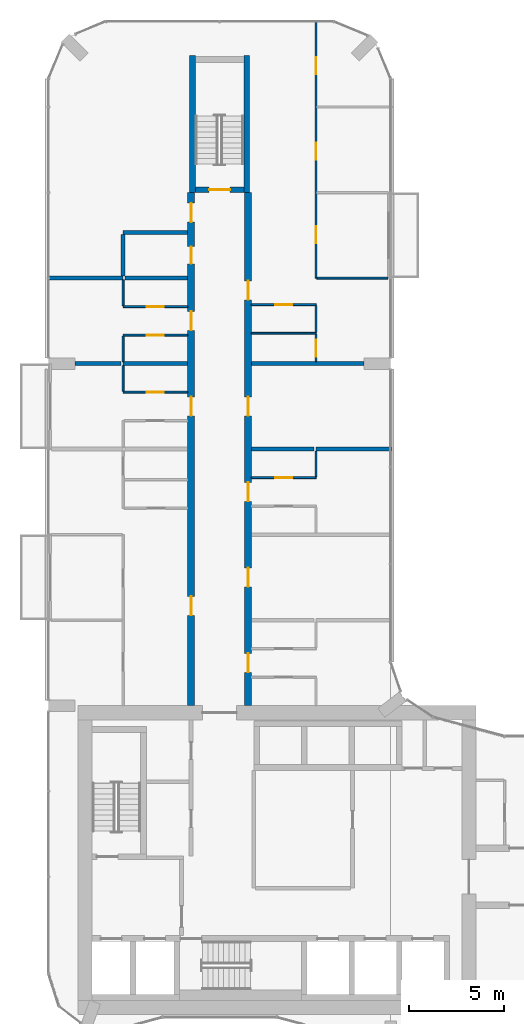
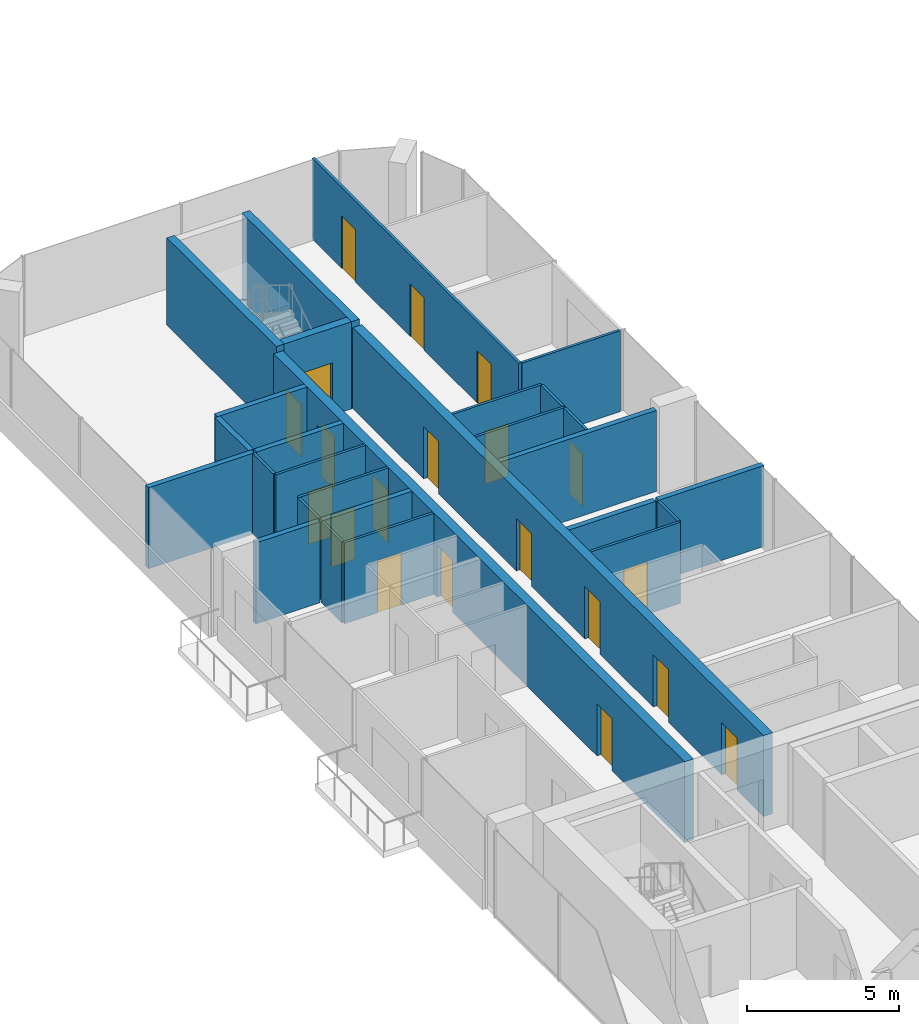
# One storey, part 17 of 24: 28 walls, 20 doors, 20 openings.
"""IFC4 building model written with IfcOpenShell, lengths in metres."""

from ifc_helpers import new_model, si_unit, direction, frame, frame_2d, origin, place, context, subcontext, project, spatial, rectangle, extrude, material, layer, layer_set, type_object, element, fill, save


model = new_model("IFC4")

# Units and contexts
model_context = context("Model", 3, precision=1e-05, world=origin(), true_north=direction((0.0, 1.0)))
body_context = subcontext(model_context, "Body", "Model", "MODEL_VIEW")
ifc_project = project(units=[si_unit("LENGTHUNIT", "METRE"), si_unit("AREAUNIT", "SQUARE_METRE"), si_unit("VOLUMEUNIT", "CUBIC_METRE"), si_unit("PLANEANGLEUNIT", "RADIAN"), si_unit("MASSUNIT", "GRAM", prefix="KILO")], contexts=[model_context])

# Site, building, storey
site_placement = place(None, origin())
site = spatial("IfcSite", under=ifc_project, at=site_placement, CompositionType="ELEMENT")
building_placement = place(site_placement, origin())
building = spatial("IfcBuilding", under=site, at=building_placement, Name="Plateau Cross Towers", CompositionType="ELEMENT")
storey_placement = place(building_placement, frame((0.0, 0.0, 51.300048828125)))
storey = spatial("IfcBuildingStorey", under=building, at=storey_placement, Name="L12", CompositionType="ELEMENT", Elevation=51.300048828125)

# Wall, openings, doors
ifc_material_1 = material(Name="Concrete C60/75", Category="concrete")
ifc_layer_1 = layer(ifc_material_1, 0.35009765625)
ifc_layer_set_1 = layer_set([ifc_layer_1], Name="Concrete C60/75")
wall_type_1 = type_object("IfcWallType", Name="Corridor wall 350", PredefinedType="SHEAR", material=ifc_layer_set_1)
wall_1_placement = place(storey_placement, frame((7.5, 18.0, 0.0), z_axis=(0.0, 0.0, 1.0), x_axis=(0.0, 1.0, 0.0)))
wall_1 = element("IfcWall", 1, at=wall_1_placement, inside=storey, type_object=wall_type_1, Name="A-cw-W1@L12", PredefinedType="SHEAR", context=body_context, shape_type="SweptSolid", body=[
    extrude(rectangle(XDim=27.0, YDim=0.35009765625, at=frame_2d((13.5, 0.0))), origin(), (0.0, 0.0, 1.0), 3.25),
])
opening_1_placement = place(wall_1_placement, frame((4.75, 0.0, 0.0)))
opening_1 = element("IfcOpeningElement", 2, at=opening_1_placement, cuts=wall_1, Name="Opening 12-09", PredefinedType="OPENING", context=body_context, shape_type="SweptSolid", body=[
    extrude(rectangle(XDim=1.0, YDim=2.10009765625, at=frame_2d((0.5, 1.050048828125))), frame((0.0, 0.18505859375, 0.0), z_axis=(0.0, -1.0, 0.0), x_axis=(1.0, 0.0, 0.0)), (0.0, 0.0, 1.0), 0.3701171875),
])
opening_2_placement = place(wall_1_placement, frame((15.25, 0.0, 0.0)))
opening_2 = element("IfcOpeningElement", 3, at=opening_2_placement, cuts=wall_1, Name="Opening 12-10", PredefinedType="OPENING", context=body_context, shape_type="SweptSolid", body=[
    extrude(rectangle(XDim=1.0, YDim=2.10009765625, at=frame_2d((0.5, 1.050048828125))), frame((0.0, 0.18505859375, 0.0), z_axis=(0.0, -1.0, 0.0), x_axis=(1.0, 0.0, 0.0)), (0.0, 0.0, 1.0), 0.3701171875),
])
opening_3_placement = place(wall_1_placement, frame((19.75, 0.0, 0.0)))
opening_3 = element("IfcOpeningElement", 4, at=opening_3_placement, cuts=wall_1, Name="Opening 12-11", PredefinedType="OPENING", context=body_context, shape_type="SweptSolid", body=[
    extrude(rectangle(XDim=1.0, YDim=2.10009765625, at=frame_2d((0.5, 1.050048828125))), frame((0.0, 0.18505859375, 0.0), z_axis=(0.0, -1.0, 0.0), x_axis=(1.0, 0.0, 0.0)), (0.0, 0.0, 1.0), 0.3701171875),
])
opening_4_placement = place(wall_1_placement, frame((23.25, 0.0, 0.0)))
opening_4 = element("IfcOpeningElement", 5, at=opening_4_placement, cuts=wall_1, Name="Opening 12-12", PredefinedType="OPENING", context=body_context, shape_type="SweptSolid", body=[
    extrude(rectangle(XDim=0.89990234375, YDim=2.10009765625, at=frame_2d((0.449951171875, 1.050048828125))), frame((0.0, 0.18505859375, 0.0), z_axis=(0.0, -1.0, 0.0), x_axis=(1.0, 0.0, 0.0)), (0.0, 0.0, 1.0), 0.3701171875),
])
opening_5_placement = place(wall_1_placement, frame((25.449951171875, 0.0, 0.0)))
opening_5 = element("IfcOpeningElement", 6, at=opening_5_placement, cuts=wall_1, Name="Opening 12-13", PredefinedType="OPENING", context=body_context, shape_type="SweptSolid", body=[
    extrude(rectangle(XDim=1.0, YDim=2.10009765625, at=frame_2d((0.5, 1.050048828125))), frame((0.0, 0.18505859375, 0.0), z_axis=(0.0, -1.0, 0.0), x_axis=(1.0, 0.0, 0.0)), (0.0, 0.0, 1.0), 0.3701171875),
])
ifc_material_2 = material(Name="Timber, fire-resisting leaf", Category="wood")
door_type_1 = type_object("IfcDoorType", Name="Flat entrance door 1000", OperationType="NOTDEFINED", PredefinedType="DOOR", material=ifc_material_2)
door_1_placement = place(opening_1_placement, origin())
door_1 = element("IfcDoor", 7, at=door_1_placement, inside=storey, type_object=door_type_1, Name="Door 12-09", OperationType="SINGLE_SWING_LEFT", OverallHeight=2.10009765625, OverallWidth=1.0, PredefinedType="DOOR", context=body_context, shape_type="SweptSolid", body=[
    extrude(rectangle(XDim=1.0, YDim=2.10009765625, at=frame_2d((0.5, 1.050048828125))), frame((0.0, 0.02490234375, 0.0), z_axis=(0.0, -1.0, 0.0), x_axis=(1.0, 0.0, 0.0)), (0.0, 0.0, 1.0), 0.050048828125),
])
fill(opening_1, door_1)
door_2_placement = place(opening_2_placement, origin())
door_2 = element("IfcDoor", 8, at=door_2_placement, inside=storey, type_object=door_type_1, Name="Door 12-10", OperationType="SINGLE_SWING_RIGHT", OverallHeight=2.10009765625, OverallWidth=1.0, PredefinedType="DOOR", context=body_context, shape_type="SweptSolid", body=[
    extrude(rectangle(XDim=1.0, YDim=2.10009765625, at=frame_2d((0.5, 1.050048828125))), frame((0.0, 0.02490234375, 0.0), z_axis=(0.0, -1.0, 0.0), x_axis=(1.0, 0.0, 0.0)), (0.0, 0.0, 1.0), 0.050048828125),
])
fill(opening_2, door_2)
door_3_placement = place(opening_3_placement, origin())
door_3 = element("IfcDoor", 9, at=door_3_placement, inside=storey, type_object=door_type_1, Name="Door 12-11", OperationType="SINGLE_SWING_RIGHT", OverallHeight=2.10009765625, OverallWidth=1.0, PredefinedType="DOOR", context=body_context, shape_type="SweptSolid", body=[
    extrude(rectangle(XDim=1.0, YDim=2.10009765625, at=frame_2d((0.5, 1.050048828125))), frame((0.0, 0.02490234375, 0.0), z_axis=(0.0, -1.0, 0.0), x_axis=(1.0, 0.0, 0.0)), (0.0, 0.0, 1.0), 0.050048828125),
])
fill(opening_3, door_3)
door_4_placement = place(opening_5_placement, origin())
door_4 = element("IfcDoor", 10, at=door_4_placement, inside=storey, type_object=door_type_1, Name="Door 12-13", OperationType="SINGLE_SWING_RIGHT", OverallHeight=2.10009765625, OverallWidth=1.0, PredefinedType="DOOR", context=body_context, shape_type="SweptSolid", body=[
    extrude(rectangle(XDim=1.0, YDim=2.10009765625, at=frame_2d((0.5, 1.050048828125))), frame((0.0, 0.02490234375, 0.0), z_axis=(0.0, -1.0, 0.0), x_axis=(1.0, 0.0, 0.0)), (0.0, 0.0, 1.0), 0.050048828125),
])
fill(opening_5, door_4)
door_type_2 = type_object("IfcDoorType", Name="Flat floor service door 900", OperationType="NOTDEFINED", PredefinedType="DOOR", material=ifc_material_2)
door_5_placement = place(opening_4_placement, origin())
door_5 = element("IfcDoor", 11, at=door_5_placement, inside=storey, type_object=door_type_2, Name="Door 12-12", OperationType="SINGLE_SWING_RIGHT", OverallHeight=2.10009765625, OverallWidth=0.89990234375, PredefinedType="DOOR", context=body_context, shape_type="SweptSolid", body=[
    extrude(rectangle(XDim=0.89990234375, YDim=2.10009765625, at=frame_2d((0.449951171875, 1.050048828125))), frame((0.0, 0.02490234375, 0.0), z_axis=(0.0, -1.0, 0.0), x_axis=(1.0, 0.0, 0.0)), (0.0, 0.0, 1.0), 0.050048828125),
])
fill(opening_4, door_5)

wall_2_placement = place(storey_placement, frame((10.5, 18.0, 0.0), z_axis=(0.0, 0.0, 1.0), x_axis=(0.0, 1.0, 0.0)))
wall_2 = element("IfcWall", 12, at=wall_2_placement, inside=storey, type_object=wall_type_1, Name="A-cw-W2@L12", PredefinedType="SHEAR", context=body_context, shape_type="SweptSolid", body=[
    extrude(rectangle(XDim=27.0, YDim=0.35009765625, at=frame_2d((13.5, 0.0))), origin(), (0.0, 0.0, 1.0), 3.25),
])
opening_6_placement = place(wall_2_placement, frame((1.75, 0.0, 0.0)))
opening_6 = element("IfcOpeningElement", 13, at=opening_6_placement, cuts=wall_2, Name="Opening 12-14", PredefinedType="OPENING", context=body_context, shape_type="SweptSolid", body=[
    extrude(rectangle(XDim=1.0, YDim=2.10009765625, at=frame_2d((0.5, 1.050048828125))), frame((0.0, 0.18505859375, 0.0), z_axis=(0.0, -1.0, 0.0), x_axis=(1.0, 0.0, 0.0)), (0.0, 0.0, 1.0), 0.3701171875),
])
opening_7_placement = place(wall_2_placement, frame((6.25, 0.0, 0.0)))
opening_7 = element("IfcOpeningElement", 14, at=opening_7_placement, cuts=wall_2, Name="Opening 12-15", PredefinedType="OPENING", context=body_context, shape_type="SweptSolid", body=[
    extrude(rectangle(XDim=1.0, YDim=2.10009765625, at=frame_2d((0.5, 1.050048828125))), frame((0.0, 0.18505859375, 0.0), z_axis=(0.0, -1.0, 0.0), x_axis=(1.0, 0.0, 0.0)), (0.0, 0.0, 1.0), 0.3701171875),
])
opening_8_placement = place(wall_2_placement, frame((10.75, 0.0, 0.0)))
opening_8 = element("IfcOpeningElement", 15, at=opening_8_placement, cuts=wall_2, Name="Opening 12-16", PredefinedType="OPENING", context=body_context, shape_type="SweptSolid", body=[
    extrude(rectangle(XDim=1.0, YDim=2.10009765625, at=frame_2d((0.5, 1.050048828125))), frame((0.0, 0.18505859375, 0.0), z_axis=(0.0, -1.0, 0.0), x_axis=(1.0, 0.0, 0.0)), (0.0, 0.0, 1.0), 0.3701171875),
])
opening_9_placement = place(wall_2_placement, frame((15.25, 0.0, 0.0)))
opening_9 = element("IfcOpeningElement", 16, at=opening_9_placement, cuts=wall_2, Name="Opening 12-17", PredefinedType="OPENING", context=body_context, shape_type="SweptSolid", body=[
    extrude(rectangle(XDim=1.0, YDim=2.10009765625, at=frame_2d((0.5, 1.050048828125))), frame((0.0, 0.18505859375, 0.0), z_axis=(0.0, -1.0, 0.0), x_axis=(1.0, 0.0, 0.0)), (0.0, 0.0, 1.0), 0.3701171875),
])
opening_10_placement = place(wall_2_placement, frame((21.35009765625, 0.0, 0.0)))
opening_10 = element("IfcOpeningElement", 17, at=opening_10_placement, cuts=wall_2, Name="Opening 12-18", PredefinedType="OPENING", context=body_context, shape_type="SweptSolid", body=[
    extrude(rectangle(XDim=1.0, YDim=2.10009765625, at=frame_2d((0.5, 1.050048828125))), frame((0.0, 0.18505859375, 0.0), z_axis=(0.0, -1.0, 0.0), x_axis=(1.0, 0.0, 0.0)), (0.0, 0.0, 1.0), 0.3701171875),
])
door_6_placement = place(opening_6_placement, origin())
door_6 = element("IfcDoor", 18, at=door_6_placement, inside=storey, type_object=door_type_1, Name="Door 12-14", OperationType="SINGLE_SWING_LEFT", OverallHeight=2.10009765625, OverallWidth=1.0, PredefinedType="DOOR", context=body_context, shape_type="SweptSolid", body=[
    extrude(rectangle(XDim=1.0, YDim=2.10009765625, at=frame_2d((0.5, 1.050048828125))), frame((0.0, 0.02490234375, 0.0), z_axis=(0.0, -1.0, 0.0), x_axis=(1.0, 0.0, 0.0)), (0.0, 0.0, 1.0), 0.050048828125),
])
fill(opening_6, door_6)
door_7_placement = place(opening_7_placement, origin())
door_7 = element("IfcDoor", 19, at=door_7_placement, inside=storey, type_object=door_type_1, Name="Door 12-15", OperationType="SINGLE_SWING_LEFT", OverallHeight=2.10009765625, OverallWidth=1.0, PredefinedType="DOOR", context=body_context, shape_type="SweptSolid", body=[
    extrude(rectangle(XDim=1.0, YDim=2.10009765625, at=frame_2d((0.5, 1.050048828125))), frame((0.0, 0.02490234375, 0.0), z_axis=(0.0, -1.0, 0.0), x_axis=(1.0, 0.0, 0.0)), (0.0, 0.0, 1.0), 0.050048828125),
])
fill(opening_7, door_7)
door_8_placement = place(opening_8_placement, origin())
door_8 = element("IfcDoor", 20, at=door_8_placement, inside=storey, type_object=door_type_1, Name="Door 12-16", OperationType="SINGLE_SWING_LEFT", OverallHeight=2.10009765625, OverallWidth=1.0, PredefinedType="DOOR", context=body_context, shape_type="SweptSolid", body=[
    extrude(rectangle(XDim=1.0, YDim=2.10009765625, at=frame_2d((0.5, 1.050048828125))), frame((0.0, 0.02490234375, 0.0), z_axis=(0.0, -1.0, 0.0), x_axis=(1.0, 0.0, 0.0)), (0.0, 0.0, 1.0), 0.050048828125),
])
fill(opening_8, door_8)
door_9_placement = place(opening_9_placement, origin())
door_9 = element("IfcDoor", 21, at=door_9_placement, inside=storey, type_object=door_type_1, Name="Door 12-17", OperationType="SINGLE_SWING_RIGHT", OverallHeight=2.10009765625, OverallWidth=1.0, PredefinedType="DOOR", context=body_context, shape_type="SweptSolid", body=[
    extrude(rectangle(XDim=1.0, YDim=2.10009765625, at=frame_2d((0.5, 1.050048828125))), frame((0.0, 0.02490234375, 0.0), z_axis=(0.0, -1.0, 0.0), x_axis=(1.0, 0.0, 0.0)), (0.0, 0.0, 1.0), 0.050048828125),
])
fill(opening_9, door_9)
door_10_placement = place(opening_10_placement, origin())
door_10 = element("IfcDoor", 22, at=door_10_placement, inside=storey, type_object=door_type_1, Name="Door 12-18", OperationType="SINGLE_SWING_RIGHT", OverallHeight=2.10009765625, OverallWidth=1.0, PredefinedType="DOOR", context=body_context, shape_type="SweptSolid", body=[
    extrude(rectangle(XDim=1.0, YDim=2.10009765625, at=frame_2d((0.5, 1.050048828125))), frame((0.0, 0.02490234375, 0.0), z_axis=(0.0, -1.0, 0.0), x_axis=(1.0, 0.0, 0.0)), (0.0, 0.0, 1.0), 0.050048828125),
])
fill(opening_10, door_10)

# Wall, opening, door
ifc_material_3 = material(Name="Gypsum board on steel studs", Category="steel")
ifc_layer_2 = layer(ifc_material_3, 0.10009765625)
ifc_layer_set_2 = layer_set([ifc_layer_2], Name="Gypsum board on steel studs")
wall_type_2 = type_object("IfcWallType", Name="Flat partition 100", PredefinedType="PARTITIONING", material=ifc_layer_set_2)
wall_3_placement = place(storey_placement, frame((10.675048828125, 30.0, 0.0), z_axis=(0.0, 0.0, 1.0), x_axis=(1.0, 0.0, 0.0)))
wall_3 = element("IfcWall", 23, at=wall_3_placement, inside=storey, type_object=wall_type_2, Name="Partition wall", PredefinedType="PARTITIONING", context=body_context, shape_type="SweptSolid", body=[
    extrude(rectangle(XDim=3.39990234375, YDim=0.10009765625, at=frame_2d((1.699951171875, 0.0))), origin(), (0.0, 0.0, 1.0), 3.25),
])
opening_11_placement = place(wall_3_placement, frame((1.25, 0.0, 0.0)))
opening_11 = element("IfcOpeningElement", 24, at=opening_11_placement, cuts=wall_3, Name="Opening 12-43", PredefinedType="OPENING", context=body_context, shape_type="SweptSolid", body=[
    extrude(rectangle(XDim=0.89990234375, YDim=2.10009765625, at=frame_2d((0.449951171875, 1.050048828125))), frame((0.0, 0.06005859375, 0.0), z_axis=(0.0, -1.0, 0.0), x_axis=(1.0, 0.0, 0.0)), (0.0, 0.0, 1.0), 0.1201171875),
])
ifc_material_4 = material(Name="Timber leaf", Category="wood")
door_type_3 = type_object("IfcDoorType", Name="Flat room door 900", OperationType="NOTDEFINED", PredefinedType="DOOR", material=ifc_material_4)
door_11_placement = place(opening_11_placement, origin())
door_11 = element("IfcDoor", 25, at=door_11_placement, inside=storey, type_object=door_type_3, Name="Door 12-43", OperationType="SINGLE_SWING_RIGHT", OverallHeight=2.10009765625, OverallWidth=0.89990234375, PredefinedType="DOOR", context=body_context, shape_type="SweptSolid", body=[
    extrude(rectangle(XDim=0.89990234375, YDim=2.10009765625, at=frame_2d((0.449951171875, 1.050048828125))), frame((0.0, 0.02490234375, 0.0), z_axis=(0.0, -1.0, 0.0), x_axis=(1.0, 0.0, 0.0)), (0.0, 0.0, 1.0), 0.050048828125),
])
fill(opening_11, door_11)

wall_4_placement = place(storey_placement, frame((3.925048828125, 34.5, 0.0), z_axis=(0.0, 0.0, 1.0), x_axis=(1.0, 0.0, 0.0)))
wall_4 = element("IfcWall", 26, at=wall_4_placement, inside=storey, type_object=wall_type_2, Name="Partition wall", PredefinedType="PARTITIONING", context=body_context, shape_type="SweptSolid", body=[
    extrude(rectangle(XDim=3.39990234375, YDim=0.10009765625, at=frame_2d((1.699951171875, 0.0))), origin(), (0.0, 0.0, 1.0), 3.25),
])
opening_12_placement = place(wall_4_placement, frame((1.25, 0.0, 0.0)))
opening_12 = element("IfcOpeningElement", 27, at=opening_12_placement, cuts=wall_4, Name="Opening 12-37", PredefinedType="OPENING", context=body_context, shape_type="SweptSolid", body=[
    extrude(rectangle(XDim=0.89990234375, YDim=2.10009765625, at=frame_2d((0.449951171875, 1.050048828125))), frame((0.0, 0.06005859375, 0.0), z_axis=(0.0, -1.0, 0.0), x_axis=(1.0, 0.0, 0.0)), (0.0, 0.0, 1.0), 0.1201171875),
])
door_12_placement = place(opening_12_placement, origin())
door_12 = element("IfcDoor", 28, at=door_12_placement, inside=storey, type_object=door_type_3, Name="Door 12-37", OperationType="SINGLE_SWING_LEFT", OverallHeight=2.10009765625, OverallWidth=0.89990234375, PredefinedType="DOOR", context=body_context, shape_type="SweptSolid", body=[
    extrude(rectangle(XDim=0.89990234375, YDim=2.10009765625, at=frame_2d((0.449951171875, 1.050048828125))), frame((0.0, 0.02490234375, 0.0), z_axis=(0.0, -1.0, 0.0), x_axis=(1.0, 0.0, 0.0)), (0.0, 0.0, 1.0), 0.050048828125),
])
fill(opening_12, door_12)

wall_5_placement = place(storey_placement, frame((7.324951171875, 37.5, 0.0), z_axis=(0.0, 0.0, 1.0), x_axis=(-1.0, 0.0, 0.0)))
wall_5 = element("IfcWall", 29, at=wall_5_placement, inside=storey, type_object=wall_type_2, Name="Partition wall", PredefinedType="PARTITIONING", context=body_context, shape_type="SweptSolid", body=[
    extrude(rectangle(XDim=3.39990234375, YDim=0.10009765625, at=frame_2d((1.699951171875, 0.0))), origin(), (0.0, 0.0, 1.0), 3.25),
])
opening_13_placement = place(wall_5_placement, frame((1.25, 0.0, 0.0)))
opening_13 = element("IfcOpeningElement", 30, at=opening_13_placement, cuts=wall_5, Name="Opening 12-38", PredefinedType="OPENING", context=body_context, shape_type="SweptSolid", body=[
    extrude(rectangle(XDim=0.89990234375, YDim=2.10009765625, at=frame_2d((0.449951171875, 1.050048828125))), frame((0.0, 0.06005859375, 0.0), z_axis=(0.0, -1.0, 0.0), x_axis=(1.0, 0.0, 0.0)), (0.0, 0.0, 1.0), 0.1201171875),
])
door_13_placement = place(opening_13_placement, origin())
door_13 = element("IfcDoor", 31, at=door_13_placement, inside=storey, type_object=door_type_3, Name="Door 12-38", OperationType="SINGLE_SWING_LEFT", OverallHeight=2.10009765625, OverallWidth=0.89990234375, PredefinedType="DOOR", context=body_context, shape_type="SweptSolid", body=[
    extrude(rectangle(XDim=0.89990234375, YDim=2.10009765625, at=frame_2d((0.449951171875, 1.050048828125))), frame((0.0, 0.02490234375, 0.0), z_axis=(0.0, -1.0, 0.0), x_axis=(1.0, 0.0, 0.0)), (0.0, 0.0, 1.0), 0.050048828125),
])
fill(opening_13, door_13)

# Wall
wall_6_placement = place(storey_placement, frame((14.074951171875, 37.60009765625, 0.0), z_axis=(0.0, 0.0, 1.0), x_axis=(-1.0, 0.0, 0.0)))
element("IfcWall", 32, at=wall_6_placement, inside=storey, type_object=wall_type_2, Name="Partition wall", PredefinedType="PARTITIONING", context=body_context, shape_type="SweptSolid", body=[
    extrude(rectangle(XDim=3.39990234375, YDim=0.10009765625, at=frame_2d((1.699951171875, 0.0))), origin(), (0.0, 0.0, 1.0), 3.25),
])

# Wall, opening, door
wall_7_placement = place(storey_placement, frame((3.925048828125, 39.0, 0.0), z_axis=(0.0, 0.0, 1.0), x_axis=(1.0, 0.0, 0.0)))
wall_7 = element("IfcWall", 33, at=wall_7_placement, inside=storey, type_object=wall_type_2, Name="Partition wall", PredefinedType="PARTITIONING", context=body_context, shape_type="SweptSolid", body=[
    extrude(rectangle(XDim=3.39990234375, YDim=0.10009765625, at=frame_2d((1.699951171875, 0.0))), origin(), (0.0, 0.0, 1.0), 3.25),
])
opening_14_placement = place(wall_7_placement, frame((1.25, 0.0, 0.0)))
opening_14 = element("IfcOpeningElement", 34, at=opening_14_placement, cuts=wall_7, Name="Opening 12-39", PredefinedType="OPENING", context=body_context, shape_type="SweptSolid", body=[
    extrude(rectangle(XDim=0.89990234375, YDim=2.10009765625, at=frame_2d((0.449951171875, 1.050048828125))), frame((0.0, 0.06005859375, 0.0), z_axis=(0.0, -1.0, 0.0), x_axis=(1.0, 0.0, 0.0)), (0.0, 0.0, 1.0), 0.1201171875),
])
door_14_placement = place(opening_14_placement, origin())
door_14 = element("IfcDoor", 35, at=door_14_placement, inside=storey, type_object=door_type_3, Name="Door 12-39", OperationType="SINGLE_SWING_LEFT", OverallHeight=2.10009765625, OverallWidth=0.89990234375, PredefinedType="DOOR", context=body_context, shape_type="SweptSolid", body=[
    extrude(rectangle(XDim=0.89990234375, YDim=2.10009765625, at=frame_2d((0.449951171875, 1.050048828125))), frame((0.0, 0.02490234375, 0.0), z_axis=(0.0, -1.0, 0.0), x_axis=(1.0, 0.0, 0.0)), (0.0, 0.0, 1.0), 0.050048828125),
])
fill(opening_14, door_14)

wall_8_placement = place(storey_placement, frame((14.074951171875, 39.10009765625, 0.0), z_axis=(0.0, 0.0, 1.0), x_axis=(-1.0, 0.0, 0.0)))
wall_8 = element("IfcWall", 36, at=wall_8_placement, inside=storey, type_object=wall_type_2, Name="Partition wall", PredefinedType="PARTITIONING", context=body_context, shape_type="SweptSolid", body=[
    extrude(rectangle(XDim=3.39990234375, YDim=0.10009765625, at=frame_2d((1.699951171875, 0.0))), origin(), (0.0, 0.0, 1.0), 3.25),
])
opening_15_placement = place(wall_8_placement, frame((1.25, 0.0, 0.0)))
opening_15 = element("IfcOpeningElement", 37, at=opening_15_placement, cuts=wall_8, Name="Opening 12-45", PredefinedType="OPENING", context=body_context, shape_type="SweptSolid", body=[
    extrude(rectangle(XDim=0.89990234375, YDim=2.10009765625, at=frame_2d((0.449951171875, 1.050048828125))), frame((0.0, 0.06005859375, 0.0), z_axis=(0.0, -1.0, 0.0), x_axis=(1.0, 0.0, 0.0)), (0.0, 0.0, 1.0), 0.1201171875),
])
door_15_placement = place(opening_15_placement, origin())
door_15 = element("IfcDoor", 38, at=door_15_placement, inside=storey, type_object=door_type_3, Name="Door 12-45", OperationType="SINGLE_SWING_RIGHT", OverallHeight=2.10009765625, OverallWidth=0.89990234375, PredefinedType="DOOR", context=body_context, shape_type="SweptSolid", body=[
    extrude(rectangle(XDim=0.89990234375, YDim=2.10009765625, at=frame_2d((0.449951171875, 1.050048828125))), frame((0.0, 0.02490234375, 0.0), z_axis=(0.0, -1.0, 0.0), x_axis=(1.0, 0.0, 0.0)), (0.0, 0.0, 1.0), 0.050048828125),
])
fill(opening_15, door_15)

# Walls
wall_9_placement = place(storey_placement, frame((14.125, 40.5, 0.0), z_axis=(0.0, 0.0, 1.0), x_axis=(1.0, 0.0, 0.0)))
element("IfcWall", 39, at=wall_9_placement, inside=storey, type_object=wall_type_2, Name="Partition wall", PredefinedType="PARTITIONING", context=body_context, shape_type="SweptSolid", body=[
    extrude(rectangle(XDim=3.72509765625, YDim=0.10009765625, at=frame_2d((1.862548828125, 0.0))), origin(), (0.0, 0.0, 1.0), 3.25),
])
for number, where, z_axis, x_axis, name in (
    (40, (3.925048828125, 35.89990234375, 0.0), (0.0, 0.0, 1.0), (0.0, -1.0, 0.0), "Partition wall"),
    (41, (3.925048828125, 37.449951171875, 0.0), (0.0, 0.0, 1.0), (0.0, -1.0, 0.0), "Partition wall"),
    (42, (3.925048828125, 40.39990234375, 0.0), (0.0, 0.0, 1.0), (0.0, -1.0, 0.0), "Partition wall"),
):
    element("IfcWall", number, at=place(storey_placement, frame(where, z_axis=z_axis, x_axis=x_axis)), inside=storey, type_object=wall_type_2, Name=name, PredefinedType="PARTITIONING", context=body_context, shape_type="SweptSolid", body=[
        extrude(rectangle(XDim=1.349853515625, YDim=0.10009765625, at=frame_2d((0.6748046875, 0.0))), origin(), (0.0, 0.0, 1.0), 3.25),
    ])

# Wall, openings, doors
wall_10_placement = place(storey_placement, frame((14.074951171875, 54.080078125, 0.0), z_axis=(0.0, 0.0, 1.0), x_axis=(0.0, -1.0, 0.0)))
wall_10 = element("IfcWall", 43, at=wall_10_placement, inside=storey, type_object=wall_type_2, Name="Partition wall", PredefinedType="PARTITIONING", context=body_context, shape_type="SweptSolid", body=[
    extrude(rectangle(XDim=13.580078125, YDim=0.10009765625, at=frame_2d((6.7900390625, 0.0))), origin(), (0.0, 0.0, 1.0), 3.25),
])
opening_16_placement = place(wall_10_placement, frame((10.85009765625, 0.0, 0.0)))
opening_16 = element("IfcOpeningElement", 44, at=opening_16_placement, cuts=wall_10, Name="Opening 12-46", PredefinedType="OPENING", context=body_context, shape_type="SweptSolid", body=[
    extrude(rectangle(XDim=0.89990234375, YDim=2.10009765625, at=frame_2d((0.449951171875, 1.050048828125))), frame((0.0, 0.06005859375, 0.0), z_axis=(0.0, -1.0, 0.0), x_axis=(1.0, 0.0, 0.0)), (0.0, 0.0, 1.0), 0.1201171875),
])
opening_17_placement = place(wall_10_placement, frame((6.449951171875, 0.0, 0.0)))
opening_17 = element("IfcOpeningElement", 45, at=opening_17_placement, cuts=wall_10, Name="Opening 12-47", PredefinedType="OPENING", context=body_context, shape_type="SweptSolid", body=[
    extrude(rectangle(XDim=0.89990234375, YDim=2.10009765625, at=frame_2d((0.449951171875, 1.050048828125))), frame((0.0, 0.06005859375, 0.0), z_axis=(0.0, -1.0, 0.0), x_axis=(1.0, 0.0, 0.0)), (0.0, 0.0, 1.0), 0.1201171875),
])
opening_18_placement = place(wall_10_placement, frame((1.949951171875, 0.0, 0.0)))
opening_18 = element("IfcOpeningElement", 46, at=opening_18_placement, cuts=wall_10, Name="Opening 12-48", PredefinedType="OPENING", context=body_context, shape_type="SweptSolid", body=[
    extrude(rectangle(XDim=0.89990234375, YDim=2.10009765625, at=frame_2d((0.449951171875, 1.050048828125))), frame((0.0, 0.06005859375, 0.0), z_axis=(0.0, -1.0, 0.0), x_axis=(1.0, 0.0, 0.0)), (0.0, 0.0, 1.0), 0.1201171875),
])
door_16_placement = place(opening_16_placement, origin())
door_16 = element("IfcDoor", 47, at=door_16_placement, inside=storey, type_object=door_type_3, Name="Door 12-46", OperationType="SINGLE_SWING_RIGHT", OverallHeight=2.10009765625, OverallWidth=0.89990234375, PredefinedType="DOOR", context=body_context, shape_type="SweptSolid", body=[
    extrude(rectangle(XDim=0.89990234375, YDim=2.10009765625, at=frame_2d((0.449951171875, 1.050048828125))), frame((0.0, 0.02490234375, 0.0), z_axis=(0.0, -1.0, 0.0), x_axis=(1.0, 0.0, 0.0)), (0.0, 0.0, 1.0), 0.050048828125),
])
fill(opening_16, door_16)
door_17_placement = place(opening_17_placement, origin())
door_17 = element("IfcDoor", 48, at=door_17_placement, inside=storey, type_object=door_type_3, Name="Door 12-47", OperationType="SINGLE_SWING_RIGHT", OverallHeight=2.10009765625, OverallWidth=0.89990234375, PredefinedType="DOOR", context=body_context, shape_type="SweptSolid", body=[
    extrude(rectangle(XDim=0.89990234375, YDim=2.10009765625, at=frame_2d((0.449951171875, 1.050048828125))), frame((0.0, 0.02490234375, 0.0), z_axis=(0.0, -1.0, 0.0), x_axis=(1.0, 0.0, 0.0)), (0.0, 0.0, 1.0), 0.050048828125),
])
fill(opening_17, door_17)
door_18_placement = place(opening_18_placement, origin())
door_18 = element("IfcDoor", 49, at=door_18_placement, inside=storey, type_object=door_type_3, Name="Door 12-48", OperationType="SINGLE_SWING_LEFT", OverallHeight=2.10009765625, OverallWidth=0.89990234375, PredefinedType="DOOR", context=body_context, shape_type="SweptSolid", body=[
    extrude(rectangle(XDim=0.89990234375, YDim=2.10009765625, at=frame_2d((0.449951171875, 1.050048828125))), frame((0.0, 0.02490234375, 0.0), z_axis=(0.0, -1.0, 0.0), x_axis=(1.0, 0.0, 0.0)), (0.0, 0.0, 1.0), 0.050048828125),
])
fill(opening_18, door_18)

# Wall
wall_11_placement = place(storey_placement, frame((14.074951171875, 30.050048828125, 0.0), z_axis=(0.0, 0.0, 1.0), x_axis=(0.0, 1.0, 0.0)))
element("IfcWall", 50, at=wall_11_placement, inside=storey, type_object=wall_type_2, Name="Partition wall", PredefinedType="PARTITIONING", context=body_context, shape_type="SweptSolid", body=[
    extrude(rectangle(XDim=1.349853515625, YDim=0.10009765625, at=frame_2d((0.6748046875, 0.0))), origin(), (0.0, 0.0, 1.0), 3.25),
])

# Wall, opening, door
wall_12_placement = place(storey_placement, frame((14.074951171875, 36.10009765625, 0.0), z_axis=(0.0, 0.0, 1.0), x_axis=(0.0, 1.0, 0.0)))
wall_12 = element("IfcWall", 51, at=wall_12_placement, inside=storey, type_object=wall_type_2, Name="Partition wall", PredefinedType="PARTITIONING", context=body_context, shape_type="SweptSolid", body=[
    extrude(rectangle(XDim=1.449951171875, YDim=0.10009765625, at=frame_2d((0.72509765625, 0.0))), origin(), (0.0, 0.0, 1.0), 3.25),
])
opening_19_placement = place(wall_12_placement, frame((0.25, 0.0, 0.0)))
opening_19 = element("IfcOpeningElement", 52, at=opening_19_placement, cuts=wall_12, Name="Opening 12-44", PredefinedType="OPENING", context=body_context, shape_type="SweptSolid", body=[
    extrude(rectangle(XDim=0.89990234375, YDim=2.10009765625, at=frame_2d((0.449951171875, 1.050048828125))), frame((0.0, 0.06005859375, 0.0), z_axis=(0.0, -1.0, 0.0), x_axis=(1.0, 0.0, 0.0)), (0.0, 0.0, 1.0), 0.1201171875),
])
door_19_placement = place(opening_19_placement, origin())
door_19 = element("IfcDoor", 53, at=door_19_placement, inside=storey, type_object=door_type_3, Name="Door 12-44", OperationType="SINGLE_SWING_LEFT", OverallHeight=2.10009765625, OverallWidth=0.89990234375, PredefinedType="DOOR", context=body_context, shape_type="SweptSolid", body=[
    extrude(rectangle(XDim=0.89990234375, YDim=2.10009765625, at=frame_2d((0.449951171875, 1.050048828125))), frame((0.0, 0.02490234375, 0.0), z_axis=(0.0, -1.0, 0.0), x_axis=(1.0, 0.0, 0.0)), (0.0, 0.0, 1.0), 0.050048828125),
])
fill(opening_19, door_19)

# Walls
wall_13_placement = place(storey_placement, frame((14.074951171875, 37.64990234375, 0.0), z_axis=(0.0, 0.0, 1.0), x_axis=(0.0, 1.0, 0.0)))
element("IfcWall", 54, at=wall_13_placement, inside=storey, type_object=wall_type_2, Name="Partition wall", PredefinedType="PARTITIONING", context=body_context, shape_type="SweptSolid", body=[
    extrude(rectangle(XDim=1.400146484375, YDim=0.10009765625, at=frame_2d((0.7001953125, 0.0))), origin(), (0.0, 0.0, 1.0), 3.25),
])
ifc_material_5 = material(Name="Gypsum board on steel studs, two layers each side", Category="steel")
ifc_layer_3 = layer(ifc_material_5, 0.199951171875)
ifc_layer_set_3 = layer_set([ifc_layer_3], Name="Gypsum board on steel studs, two layers each side")
wall_type_3 = type_object("IfcWallType", Name="Flat party wall 200", PredefinedType="PARTITIONING", material=ifc_layer_set_3)
wall_14_placement = place(storey_placement, frame((13.97509765625, 31.5, 0.0), z_axis=(0.0, 0.0, 1.0), x_axis=(-1.0, 0.0, 0.0)))
element("IfcWall", 55, at=wall_14_placement, inside=storey, type_object=wall_type_3, Name="Party wall", PredefinedType="PARTITIONING", context=body_context, shape_type="SweptSolid", body=[
    extrude(rectangle(XDim=3.300048828125, YDim=0.199951171875, at=frame_2d((1.64990234375, 0.0))), origin(), (0.0, 0.0, 1.0), 3.25),
])
wall_15_placement = place(storey_placement, frame((14.074951171875, 31.5, 0.0), z_axis=(0.0, 0.0, 1.0), x_axis=(1.0, 0.0, 0.0)))
element("IfcWall", 56, at=wall_15_placement, inside=storey, type_object=wall_type_3, Name="Party wall", PredefinedType="PARTITIONING", context=body_context, shape_type="SweptSolid", body=[
    extrude(rectangle(XDim=4.005126953125, YDim=0.199951171875, at=frame_2d((2.00244140625, 0.0))), origin(), (0.0, 0.0, 1.0), 3.25),
])
wall_16_placement = place(storey_placement, frame((7.324951171875, 36.0, 0.0), z_axis=(0.0, 0.0, 1.0), x_axis=(-1.0, 0.0, 0.0)))
element("IfcWall", 57, at=wall_16_placement, inside=storey, type_object=wall_type_3, Name="Party wall", PredefinedType="PARTITIONING", context=body_context, shape_type="SweptSolid", body=[
    extrude(rectangle(XDim=3.39990234375, YDim=0.199951171875, at=frame_2d((1.699951171875, 0.0))), origin(), (0.0, 0.0, 1.0), 3.25),
])
wall_17_placement = place(storey_placement, frame((16.60009765625, 36.0, 0.0), z_axis=(0.0, 0.0, 1.0), x_axis=(-1.0, 0.0, 0.0)))
element("IfcWall", 58, at=wall_17_placement, inside=storey, type_object=wall_type_3, Name="Party wall", PredefinedType="PARTITIONING", context=body_context, shape_type="SweptSolid", body=[
    extrude(rectangle(XDim=5.925048828125, YDim=0.199951171875, at=frame_2d((2.96240234375, 0.0))), origin(), (0.0, 0.0, 1.0), 3.25),
])
wall_18_placement = place(storey_placement, frame((1.39990234375, 36.0, 0.0), z_axis=(0.0, 0.0, 1.0), x_axis=(1.0, 0.0, 0.0)))
element("IfcWall", 59, at=wall_18_placement, inside=storey, type_object=wall_type_3, Name="Party wall", PredefinedType="PARTITIONING", context=body_context, shape_type="SweptSolid", body=[
    extrude(rectangle(XDim=2.425048828125, YDim=0.199951171875, at=frame_2d((1.21240234375, 0.0))), origin(), (0.0, 0.0, 1.0), 3.25),
])
wall_19_placement = place(storey_placement, frame((7.324951171875, 40.5, 0.0), z_axis=(0.0, 0.0, 1.0), x_axis=(-1.0, 0.0, 0.0)))
element("IfcWall", 60, at=wall_19_placement, inside=storey, type_object=wall_type_3, Name="Party wall", PredefinedType="PARTITIONING", context=body_context, shape_type="SweptSolid", body=[
    extrude(rectangle(XDim=3.300048828125, YDim=0.199951171875, at=frame_2d((1.64990234375, 0.0))), origin(), (0.0, 0.0, 1.0), 3.25),
])
wall_20_placement = place(storey_placement, frame((-0.080078125, 40.5, 0.0), z_axis=(0.0, 0.0, 1.0), x_axis=(1.0, 0.0, 0.0)))
element("IfcWall", 61, at=wall_20_placement, inside=storey, type_object=wall_type_3, Name="Party wall", PredefinedType="PARTITIONING", context=body_context, shape_type="SweptSolid", body=[
    extrude(rectangle(XDim=4.005126953125, YDim=0.199951171875, at=frame_2d((2.00244140625, 0.0))), origin(), (0.0, 0.0, 1.0), 3.25),
])
wall_21_placement = place(storey_placement, frame((7.324951171875, 42.89990234375, 0.0), z_axis=(0.0, 0.0, 1.0), x_axis=(-1.0, 0.0, 0.0)))
element("IfcWall", 62, at=wall_21_placement, inside=storey, type_object=wall_type_3, Name="Party wall", PredefinedType="PARTITIONING", context=body_context, shape_type="SweptSolid", body=[
    extrude(rectangle(XDim=3.39990234375, YDim=0.199951171875, at=frame_2d((1.699951171875, 0.0))), origin(), (0.0, 0.0, 1.0), 3.25),
])
wall_22_placement = place(storey_placement, frame((3.925048828125, 42.800048828125, 0.0), z_axis=(0.0, 0.0, 1.0), x_axis=(0.0, -1.0, 0.0)))
element("IfcWall", 63, at=wall_22_placement, inside=storey, type_object=wall_type_3, Name="Party wall", PredefinedType="PARTITIONING", context=body_context, shape_type="SweptSolid", body=[
    extrude(rectangle(XDim=2.199951171875, YDim=0.199951171875, at=frame_2d((1.10009765625, 0.0))), origin(), (0.0, 0.0, 1.0), 3.25),
])

# Wall, opening, door
ifc_layer_4 = layer(ifc_material_1, 0.300048828125)
ifc_layer_set_4 = layer_set([ifc_layer_4], Name="Concrete C60/75")
wall_type_4 = type_object("IfcWallType", Name="Stair tower wall 300", PredefinedType="SHEAR", material=ifc_layer_set_4)
wall_23_placement = place(storey_placement, frame((7.72509765625, 45.14990234375, 0.0), z_axis=(0.0, 0.0, 1.0), x_axis=(1.0, 0.0, 0.0)))
wall_23 = element("IfcWall", 64, at=wall_23_placement, inside=storey, type_object=wall_type_4, Name="A-end-N-S@L12", PredefinedType="SHEAR", context=body_context, shape_type="SweptSolid", body=[
    extrude(rectangle(XDim=2.5498046875, YDim=0.300048828125, at=frame_2d((1.27490234375, 0.0))), origin(), (0.0, 0.0, 1.0), 3.5),
])
opening_20_placement = place(wall_23_placement, frame((0.72509765625, 0.0, 0.0)))
opening_20 = element("IfcOpeningElement", 65, at=opening_20_placement, cuts=wall_23, Name="Opening SD", PredefinedType="OPENING", context=body_context, shape_type="SweptSolid", body=[
    extrude(rectangle(XDim=1.10009765625, YDim=2.10009765625, at=frame_2d((0.550048828125, 1.050048828125))), frame((0.0, 0.159912109375, 0.0), z_axis=(0.0, -1.0, 0.0), x_axis=(1.0, 0.0, 0.0)), (0.0, 0.0, 1.0), 0.320068359375),
])
ifc_material_6 = material(Name="Steel, fire-resisting leaf", Category="steel")
door_type_4 = type_object("IfcDoorType", Name="Stair door 1100", OperationType="NOTDEFINED", PredefinedType="DOOR", material=ifc_material_6)
door_20_placement = place(opening_20_placement, origin())
door_20 = element("IfcDoor", 66, at=door_20_placement, inside=storey, type_object=door_type_4, Name="Stair door SD", OperationType="SINGLE_SWING_LEFT", OverallHeight=2.10009765625, OverallWidth=1.10009765625, PredefinedType="DOOR", context=body_context, shape_type="SweptSolid", body=[
    extrude(rectangle(XDim=1.10009765625, YDim=2.10009765625, at=frame_2d((0.550048828125, 1.050048828125))), frame((0.0, 0.02490234375, 0.0), z_axis=(0.0, -1.0, 0.0), x_axis=(1.0, 0.0, 0.0)), (0.0, 0.0, 1.0), 0.050048828125),
])
fill(opening_20, door_20)

# Walls
for number, where, z_axis, x_axis, name in (
    (67, (7.574951171875, 45.0, 0.0), (0.0, 0.0, 1.0), (0.0, 1.0, 0.0), "A-end-N-W@L12"),
    (68, (10.425048828125, 45.0, 0.0), (0.0, 0.0, 1.0), (0.0, 1.0, 0.0), "A-end-N-E@L12"),
):
    element("IfcWall", number, at=place(storey_placement, frame(where, z_axis=z_axis, x_axis=x_axis)), inside=storey, type_object=wall_type_4, Name=name, PredefinedType="SHEAR", context=body_context, shape_type="SweptSolid", body=[
        extrude(rectangle(XDim=7.199951171875, YDim=0.300048828125, at=frame_2d((3.60009765625, 0.0))), origin(), (0.0, 0.0, 1.0), 3.5),
    ])

save(model, "model.ifc")
